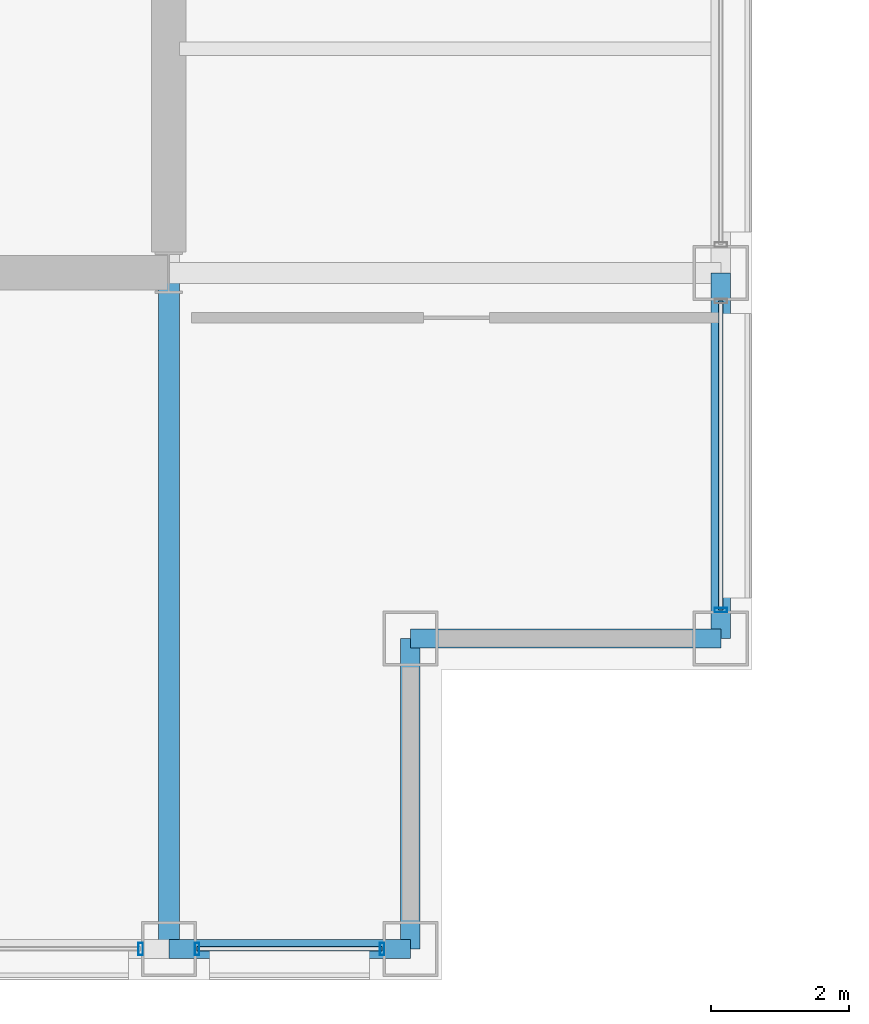
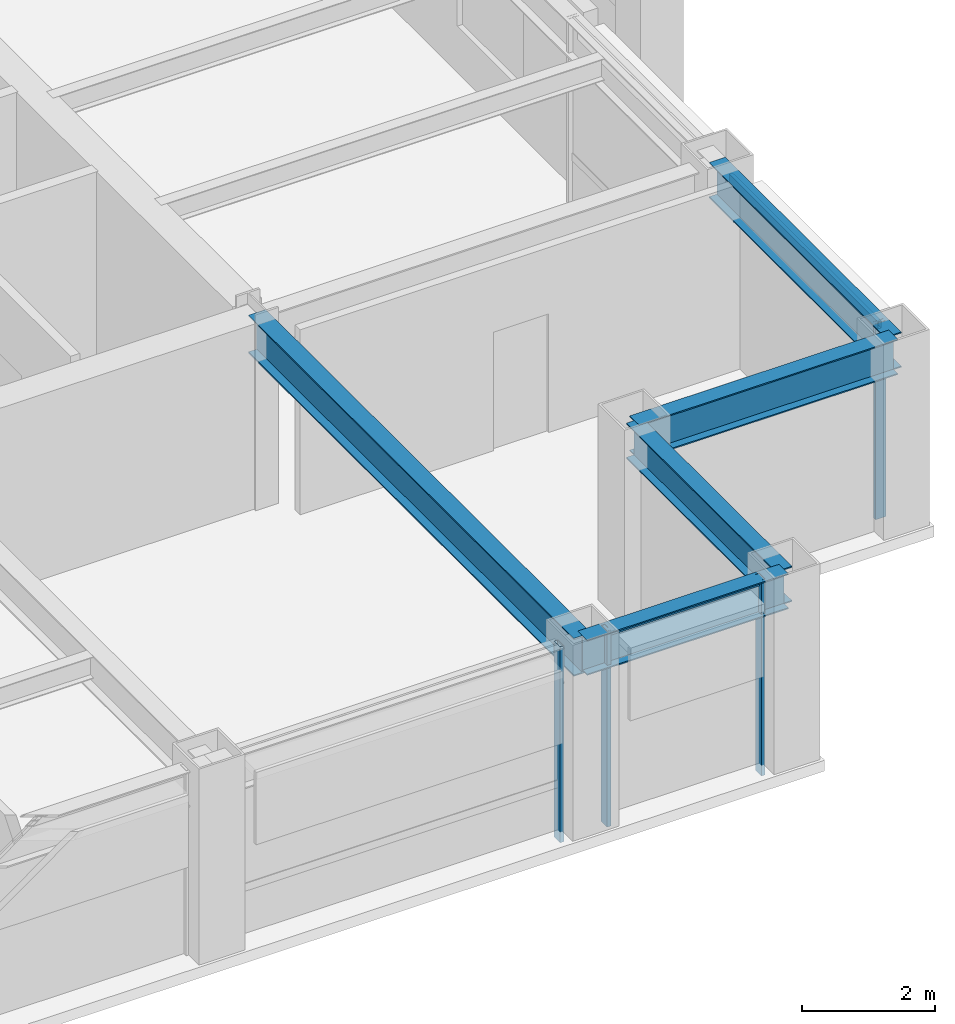
# One storey, part 12 of 29: 6 members, 5 beams, 3 elements without a shape of their own.
"""IFC4 building model written with IfcOpenShell, lengths in metres."""

from ifc_helpers import new_model, si_unit, direction, frame, origin, origin_2d, place, context, subcontext, project, spatial, hollow_rectangle, i_section, extrude, material, layer, layer_set, material_profile, profile_set, type_object, element, aggregate, save


model = new_model("IFC4")

# Units and contexts
model_context = context("Model", 3, precision=1e-05, world=origin(), true_north=direction((0.0, 1.0)))
body_context = subcontext(model_context, "Body", "Model", "MODEL_VIEW")
ifc_project = project(units=[si_unit("LENGTHUNIT", "METRE"), si_unit("AREAUNIT", "SQUARE_METRE"), si_unit("VOLUMEUNIT", "CUBIC_METRE"), si_unit("PLANEANGLEUNIT", "RADIAN"), si_unit("MASSUNIT", "GRAM", prefix="KILO")], contexts=[model_context])

# Site, building, storey
site_placement = place(None, origin())
site = spatial("IfcSite", under=ifc_project, at=site_placement, CompositionType="ELEMENT")
building_placement = place(site_placement, origin())
building = spatial("IfcBuilding", under=site, at=building_placement, Name="Brelmoor Portico Tower", CompositionType="ELEMENT")
storey_placement = place(building_placement, frame((0.0, 0.0, 138.60009765625)))
storey = spatial("IfcBuildingStorey", under=building, at=storey_placement, Name="L36", CompositionType="ELEMENT", Elevation=138.60009765625)

# Beams
ifc_material_1 = material(Name="Steel Q355B", Category="steel")
ifc_material_profile_1 = material_profile(ifc_material_1, i_section(OverallWidth=0.300048828125, OverallDepth=0.699951171875, WebThickness=0.012939453125, FlangeThickness=0.02392578125, at=origin_2d()), Name="HN 700x300x13x24")
ifc_profile_set_1 = profile_set([ifc_material_profile_1], Name="Steel Q355B")
beam_type_1 = type_object("IfcBeamType", Name="BM-PG-700", PredefinedType="BEAM", material=ifc_profile_set_1)
beam_1_placement = place(storey_placement, frame((14.550048828125, -19.550048828125, 3.0498046875), z_axis=(0.0, 1.0, 0.0), x_axis=(-1.0, 0.0, 0.0)))
element("IfcBeam", 1, at=beam_1_placement, inside=storey, type_object=beam_type_1, Name="L36 Primary Floor Girder PG-10", PredefinedType="BEAM", context=body_context, shape_type="SweptSolid", body=[
    extrude(i_section(OverallWidth=0.300048828125, OverallDepth=0.699951171875, WebThickness=0.012939453125, FlangeThickness=0.02392578125, at=origin_2d()), origin(), (0.0, 0.0, 1.0), 9.800048828125),
])
ifc_material_profile_2 = material_profile(ifc_material_1, i_section(OverallWidth=0.280029296875, OverallDepth=0.64990234375, WebThickness=0.012939453125, FlangeThickness=0.02197265625, at=origin_2d()), Name="HN 650x280x13x22")
ifc_profile_set_2 = profile_set([ifc_material_profile_2], Name="Steel Q355B")
beam_type_2 = type_object("IfcBeamType", Name="BM-SP-650", PredefinedType="SPANDREL", material=ifc_profile_set_2)
beam_2_placement = place(storey_placement, frame((14.550048828125, -19.550048828125, 3.074951171875), z_axis=(1.0, 0.0, 0.0), x_axis=(0.0, 1.0, 0.0)))
element("IfcBeam", 2, at=beam_2_placement, inside=storey, type_object=beam_type_2, Name="L36 Perimeter Spandrel Beam SP-05", PredefinedType="SPANDREL", context=body_context, shape_type="SweptSolid", body=[
    extrude(i_section(OverallWidth=0.280029296875, OverallDepth=0.64990234375, WebThickness=0.012939453125, FlangeThickness=0.02197265625, at=origin_2d()), origin(), (0.0, 0.0, 1.0), 3.5),
])
for number, where, z_axis, x_axis, name in (
    (3, (18.050048828125, -15.050048828125, 3.074951171875), (1.0, 0.0, 0.0), (0.0, 1.0, 0.0), "L36 Perimeter Spandrel Beam SP-07"),
    (4, (18.050048828125, -19.550048828125, 3.074951171875), (0.0, 1.0, 0.0), (-1.0, 0.0, 0.0), "L36 Perimeter Spandrel Beam SP-20"),
):
    element("IfcBeam", number, at=place(storey_placement, frame(where, z_axis=z_axis, x_axis=x_axis)), inside=storey, type_object=beam_type_2, Name=name, PredefinedType="SPANDREL", context=body_context, shape_type="SweptSolid", body=[
        extrude(i_section(OverallWidth=0.280029296875, OverallDepth=0.64990234375, WebThickness=0.012939453125, FlangeThickness=0.02197265625, at=origin_2d()), origin(), (0.0, 0.0, 1.0), 4.5),
    ])
beam_3_placement = place(storey_placement, frame((22.550048828125, -15.050048828125, 3.074951171875), z_axis=(0.0, 1.0, 0.0), x_axis=(-1.0, 0.0, 0.0)))
element("IfcBeam", 5, at=beam_3_placement, inside=storey, type_object=beam_type_2, Name="L36 Perimeter Spandrel Beam SP-22", PredefinedType="SPANDREL", context=body_context, shape_type="SweptSolid", body=[
    extrude(i_section(OverallWidth=0.280029296875, OverallDepth=0.64990234375, WebThickness=0.012939453125, FlangeThickness=0.02197265625, at=origin_2d()), origin(), (0.0, 0.0, 1.0), 5.300048828125),
])

# Curtain wall, member
ifc_material_2 = material(Name="Anodised Aluminium Alloy 6063-T6", Category="aluminium")
ifc_layer_1 = layer(ifc_material_2, 0.179931640625)
ifc_layer_set_1 = layer_set([ifc_layer_1], Name="Anodised Aluminium Alloy 6063-T6")
curtain_wall_type_1 = type_object("IfcCurtainWallType", Name="CW-TOWER-Z2", PredefinedType="NOTDEFINED", material=ifc_layer_set_1)
curtain_wall_1_placement = place(storey_placement, origin())
curtain_wall_1 = element("IfcCurtainWall", 6, at=curtain_wall_1_placement, inside=storey, type_object=curtain_wall_type_1, Name="L36 Curtain Wall CW-L36-01-4", PredefinedType="NOTDEFINED")
ifc_material_profile_3 = material_profile(ifc_material_2, hollow_rectangle(XDim=0.06494140625, YDim=0.179931640625, WallThickness=0.00390625, at=origin_2d()), Name="ALU MULLION 65x180")
ifc_profile_set_3 = profile_set([ifc_material_profile_3], Name="Anodised Aluminium Alloy 6063-T6")
member_type_1 = type_object("IfcMemberType", Name="MB-CW-MULL-180", PredefinedType="MULLION", material=ifc_profile_set_3)
member_1_placement = place(storey_placement, frame((14.139892578125, -19.550048828125, -0.2001953125), z_axis=(0.0, 0.0, 1.0), x_axis=(1.0, 0.0, 0.0)))
member_1 = element("IfcMember", 7, at=member_1_placement, type_object=member_type_1, Name="CW-L36-01-4 Mullion 01", PredefinedType="MULLION", context=body_context, shape_type="SweptSolid", body=[
    extrude(hollow_rectangle(XDim=0.06494140625, YDim=0.179931640625, WallThickness=0.00390625, at=origin_2d()), origin(), (0.0, 0.0, 1.0), 3.60009765625),
])
aggregate(curtain_wall_1, [member_1])

# Curtain wall, members
ifc_layer_2 = layer(ifc_material_2, 0.179931640625)
ifc_layer_set_2 = layer_set([ifc_layer_2], Name="Anodised Aluminium Alloy 6063-T6")
curtain_wall_type_2 = type_object("IfcCurtainWallType", Name="CW-TOWER-Z2-XB", PredefinedType="NOTDEFINED", material=ifc_layer_set_2)
curtain_wall_2_placement = place(storey_placement, origin())
curtain_wall_2 = element("IfcCurtainWall", 8, at=curtain_wall_2_placement, inside=storey, type_object=curtain_wall_type_2, Name="L36 Curtain Wall CW-L36-01-5", PredefinedType="NOTDEFINED")
member_2_placement = place(storey_placement, frame((14.9599609375, -19.550048828125, -0.2001953125), z_axis=(0.0, 0.0, 1.0), x_axis=(1.0, 0.0, 0.0)))
member_2 = element("IfcMember", 9, at=member_2_placement, type_object=member_type_1, Name="CW-L36-01-5 Mullion 00", PredefinedType="MULLION", context=body_context, shape_type="SweptSolid", body=[
    extrude(hollow_rectangle(XDim=0.06494140625, YDim=0.179931640625, WallThickness=0.00390625, at=origin_2d()), origin(), (0.0, 0.0, 1.0), 3.60009765625),
])
member_3_placement = place(storey_placement, frame((17.639892578125, -19.550048828125, -0.2001953125), z_axis=(0.0, 0.0, 1.0), x_axis=(1.0, 0.0, 0.0)))
member_3 = element("IfcMember", 10, at=member_3_placement, type_object=member_type_1, Name="CW-L36-01-5 Mullion 01", PredefinedType="MULLION", context=body_context, shape_type="SweptSolid", body=[
    extrude(hollow_rectangle(XDim=0.06494140625, YDim=0.179931640625, WallThickness=0.00390625, at=origin_2d()), origin(), (0.0, 0.0, 1.0), 3.60009765625),
])

# Curtain wall, member
curtain_wall_3_placement = place(storey_placement, origin())
curtain_wall_3 = element("IfcCurtainWall", 11, at=curtain_wall_3_placement, inside=storey, type_object=curtain_wall_type_2, Name="L36 Curtain Wall CW-L36-4L-1", PredefinedType="NOTDEFINED")
member_4_placement = place(storey_placement, frame((22.550048828125, -14.639892578125, -0.2001953125), z_axis=(0.0, 0.0, 1.0), x_axis=(0.0, 1.0, 0.0)))
member_4 = element("IfcMember", 12, at=member_4_placement, type_object=member_type_1, Name="CW-L36-4L-1 Mullion 00", PredefinedType="MULLION", context=body_context, shape_type="SweptSolid", body=[
    extrude(hollow_rectangle(XDim=0.06494140625, YDim=0.179931640625, WallThickness=0.00390625, at=origin_2d()), origin(), (0.0, 0.0, 1.0), 3.60009765625),
])

# Member
ifc_material_profile_4 = material_profile(ifc_material_2, hollow_rectangle(XDim=0.06494140625, YDim=0.139892578125, WallThickness=0.00390625, at=origin_2d()), Name="ALU TRANSOM 65x140")
ifc_profile_set_4 = profile_set([ifc_material_profile_4], Name="Anodised Aluminium Alloy 6063-T6")
member_type_2 = type_object("IfcMemberType", Name="MB-CW-TRAN-140", PredefinedType="USERDEFINED", material=ifc_profile_set_4)
member_5_placement = place(storey_placement, frame((14.9599609375, -19.550048828125, 3.329833984375), z_axis=(1.0, 0.0, 0.0), x_axis=(0.0, 1.0, 0.0)))
member_5 = element("IfcMember", 13, at=member_5_placement, type_object=member_type_2, Name="CW-L36-01-5 Transom 1-00", ObjectType="TRANSOM", PredefinedType="USERDEFINED", context=body_context, shape_type="SweptSolid", body=[
    extrude(hollow_rectangle(XDim=0.06494140625, YDim=0.139892578125, WallThickness=0.00390625, at=origin_2d()), origin(), (0.0, 0.0, 1.0), 2.679931640625),
])

aggregate(curtain_wall_2, [member_2, member_3, member_5])

member_6_placement = place(storey_placement, frame((22.550048828125, -14.639892578125, 3.329833984375), z_axis=(0.0, 1.0, 0.0), x_axis=(-1.0, 0.0, 0.0)))
member_6 = element("IfcMember", 14, at=member_6_placement, type_object=member_type_2, Name="CW-L36-4L-1 Transom 1-00", ObjectType="TRANSOM", PredefinedType="USERDEFINED", context=body_context, shape_type="SweptSolid", body=[
    extrude(hollow_rectangle(XDim=0.06494140625, YDim=0.139892578125, WallThickness=0.00390625, at=origin_2d()), origin(), (0.0, 0.0, 1.0), 4.47998046875),
])

aggregate(curtain_wall_3, [member_4, member_6])

save(model, "model.ifc")
